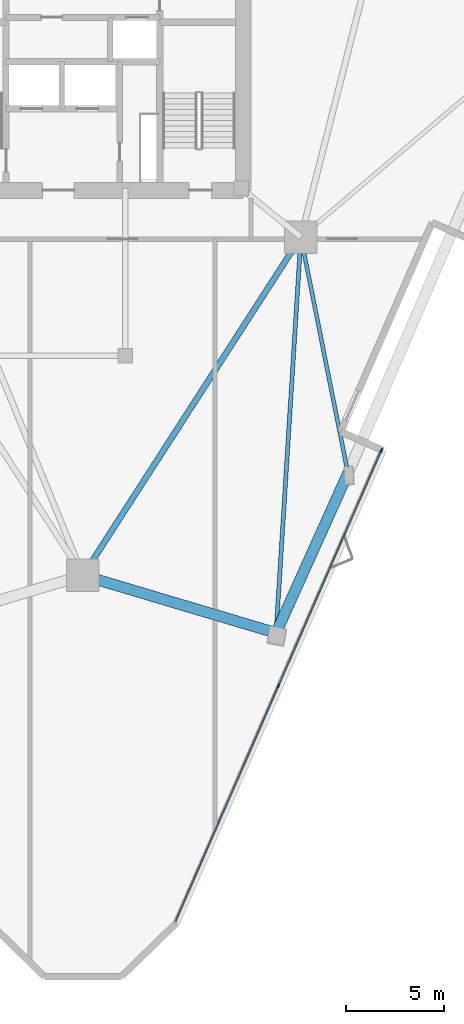
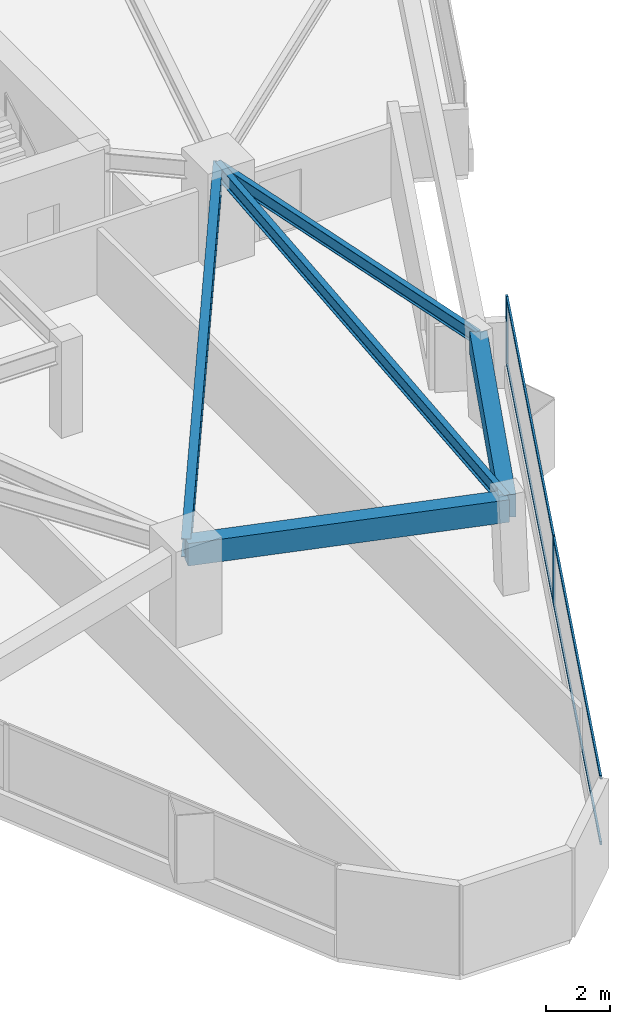
# One storey, part 3 of 13: 6 members, 5 beams, 1 element without a shape of its own.
"""IFC4 building model written with IfcOpenShell, lengths in metres."""

import ifcopenshell
import ifcopenshell.guid

model = None  # the IFC model being written
_history = None  # IfcOwnerHistory: only IFC2X3 demands one
_inside = {}  # id of a spatial element -> (the spatial element, [elements in it])
_under = {}  # id of a project, library or spatial element -> (it, [spatial elements below it])
_declared = {}  # id of a project -> (the project, [libraries it declares])
_typed = {}  # id of a type object -> (the type object, [elements of that type])
_made_of = {}  # id of a material, layer set ... -> (it, [elements and type objects made of it])


def new_model(schema):
    """Start an empty IFC model of exactly this schema.

    Asked for "IFC4X3", IfcOpenShell would pick the latest addendum, in which some entities
    have other attributes; the version numbers below select the first issue.
    IFC2X3 requires an IfcOwnerHistory on every rooted entity: one is made here for all.
    """
    global model, _history
    if schema == "IFC4X3":
        model = ifcopenshell.file(schema_version=(4, 3, 0, 0))
    else:
        model = ifcopenshell.file(schema=schema)
    _inside.clear()
    _under.clear()
    _declared.clear()
    _typed.clear()
    _made_of.clear()
    _history = None
    if model.schema == "IFC2X3":
        org = make("IfcOrganization", Name="unknown")
        user = make(
            "IfcPersonAndOrganization",
            ThePerson=make("IfcPerson", FamilyName="unknown"),
            TheOrganization=org,
        )
        app = make(
            "IfcApplication",
            ApplicationDeveloper=org,
            Version="unknown",
            ApplicationFullName="unknown",
            ApplicationIdentifier="unknown",
        )
        _history = make(
            "IfcOwnerHistory",
            OwningUser=user,
            OwningApplication=app,
            ChangeAction="ADDED",
            CreationDate=0,
        )
    return model


def make(cls, **values):
    """One entity of the class cls with the attributes given. An attribute that is None is left unset."""
    return model.create_entity(
        cls, **{name: value for name, value in values.items() if value is not None}
    )


def rooted(cls, **values):
    """An entity with a GlobalId (a new one), such as an element, a storey or a relation."""
    return make(cls, GlobalId=ifcopenshell.guid.new(), OwnerHistory=_history, **values)


def si_unit(unit_type, name, prefix=None):
    """IfcSIUnit, for example si_unit("LENGTHUNIT", "METRE", prefix="MILLI")."""
    return make("IfcSIUnit", UnitType=unit_type, Prefix=prefix, Name=name)


def assignment(units):
    """IfcUnitAssignment: the units of a project."""
    return None if units is None else make("IfcUnitAssignment", Units=units)


def point(xyz):
    """IfcCartesianPoint."""
    return None if xyz is None else make("IfcCartesianPoint", Coordinates=xyz)


def direction(xyz):
    """IfcDirection."""
    return None if xyz is None else make("IfcDirection", DirectionRatios=xyz)


def frame(location, z_axis=None, x_axis=None):
    """IfcAxis2Placement3D, a coordinate frame: its origin and axes. An axis left out is left unset."""
    return make(
        "IfcAxis2Placement3D",
        Location=point(location),
        Axis=direction(z_axis),
        RefDirection=direction(x_axis),
    )


def frame_2d(location, x_axis=None):
    """IfcAxis2Placement2D, a coordinate frame in the plane: its origin and x axis."""
    return make(
        "IfcAxis2Placement2D", Location=point(location), RefDirection=direction(x_axis)
    )


def origin():
    """The frame at (0, 0, 0) with its axes left unset."""
    return frame((0.0, 0.0, 0.0))


def origin_2d():
    """The frame at (0, 0) in the plane with its x axis left unset."""
    return frame_2d((0.0, 0.0))


def place(relative_to, where):
    """IfcLocalPlacement: puts the frame where relative to a parent placement (None: the world)."""
    return make(
        "IfcLocalPlacement", PlacementRelTo=relative_to, RelativePlacement=where
    )


def context(
    kind, dimensions, precision=None, world=None, true_north=None, identifier=None
):
    """IfcGeometricRepresentationContext, for example the 3D "Model" context."""
    return make(
        "IfcGeometricRepresentationContext",
        ContextIdentifier=identifier,
        ContextType=kind,
        CoordinateSpaceDimension=dimensions,
        Precision=precision,
        WorldCoordinateSystem=world,
        TrueNorth=true_north,
    )


def subcontext(parent, identifier, kind, view, scale=None):
    """IfcGeometricRepresentationSubContext, for example "Body" below "Model"."""
    return make(
        "IfcGeometricRepresentationSubContext",
        ContextIdentifier=identifier,
        ContextType=kind,
        ParentContext=parent,
        TargetScale=scale,
        TargetView=view,
    )


def project(units=None, contexts=None):
    """IfcProject with its units and contexts."""
    return rooted(
        "IfcProject",
        Name="project",
        RepresentationContexts=contexts,
        UnitsInContext=assignment(units),
    )


def spatial(cls, under=None, at=None, **own):
    """A site, building, storey or space (cls), placed at a placement, below another one or the project."""
    s = rooted(cls, ObjectPlacement=at, **own)
    if under is not None:
        _under.setdefault(under.id(), (under, []))[1].append(s)
    return s


def profile(cls, at=None, kind="AREA", **sizes):
    """A parametric profile (cls). Its sizes go by their IFC names, for example OverallWidth=200.0."""
    return make(cls, ProfileType=kind, Position=at, **sizes)


def rectangle(**sizes):
    """IfcRectangleProfileDef."""
    return profile("IfcRectangleProfileDef", **sizes)


def i_section(**sizes):
    """IfcIShapeProfileDef."""
    return profile("IfcIShapeProfileDef", **sizes)


def extrude(swept, where, along, depth):
    """IfcExtrudedAreaSolid: the profile swept, set in the frame where, extruded along a direction by depth."""
    return make(
        "IfcExtrudedAreaSolid",
        SweptArea=swept,
        Position=where,
        ExtrudedDirection=direction(along),
        Depth=depth,
    )


def shape(context_of_items, identifier, shape_type, items):
    """IfcShapeRepresentation: the items that make up one representation, for example the "Body"."""
    return make(
        "IfcShapeRepresentation",
        ContextOfItems=context_of_items,
        RepresentationIdentifier=identifier,
        RepresentationType=shape_type,
        Items=items,
    )


def material(Name=None, Category=None):
    """IfcMaterial."""
    return make("IfcMaterial", Name=Name, Category=Category)


def layer(
    of_material, thickness, ventilated=None, Name=None, Category=None, Priority=None
):
    """IfcMaterialLayer: one layer of a wall or slab, of a material (None: an air gap)."""
    return make(
        "IfcMaterialLayer",
        Material=of_material,
        LayerThickness=thickness,
        IsVentilated=ventilated,
        Name=Name,
        Category=Category,
        Priority=Priority,
    )


def layer_set(layers, Name=None):
    """IfcMaterialLayerSet."""
    return make("IfcMaterialLayerSet", MaterialLayers=layers, LayerSetName=Name)


def material_profile(
    of_material, cross_section, Name=None, Category=None, Priority=None
):
    """IfcMaterialProfile: a cross section and its material."""
    return make(
        "IfcMaterialProfile",
        Name=Name,
        Material=of_material,
        Profile=cross_section,
        Priority=Priority,
        Category=Category,
    )


def profile_set(profiles, Name=None, composite=None):
    """IfcMaterialProfileSet."""
    return make(
        "IfcMaterialProfileSet",
        Name=Name,
        MaterialProfiles=profiles,
        CompositeProfile=composite,
    )


def made_of(thing, what):
    """Note that an element or type object is made of a material, layer set ...; save() writes the relation."""
    if what is not None:
        _made_of.setdefault(what.id(), (what, []))[1].append(thing)
    return thing


def type_object(cls, material=None, **own):
    """A type object (cls), such as IfcWallType, which elements share."""
    return made_of(rooted(cls, **own), material)


def element(
    cls,
    number,
    at=None,
    inside=None,
    cuts=None,
    type_object=None,
    material=None,
    context=None,
    identifier="Body",
    shape_type=None,
    held_by="IfcProductDefinitionShape",
    body=None,
    shapes=None,
    **own,
):
    """One element of the class cls, such as IfcWall. Its Tag is "e" and its number.

    at: its placement. inside: the storey or other place that contains it. cuts: it is an
    opening in that element (IfcRelVoidsElement). A single representation is given by context,
    identifier, shape_type and body (its items); several are given by shapes. held_by: the class
    of the entity that holds the representations. save() writes the other relations.
    """
    e = rooted(cls, Tag="e%d" % number, ObjectPlacement=at, **own)
    if body is not None:
        shapes = [shape(context, identifier, shape_type, body)]
    if shapes is not None:
        e.Representation = make(held_by, Representations=shapes)
    if inside is not None:
        _inside.setdefault(inside.id(), (inside, []))[1].append(e)
    if cuts is not None:
        rooted(
            "IfcRelVoidsElement", RelatingBuildingElement=cuts, RelatedOpeningElement=e
        )
    if type_object is not None:
        _typed.setdefault(type_object.id(), (type_object, []))[1].append(e)
    return made_of(e, material)


def aggregate(whole, parts):
    """IfcRelAggregates: a whole, such as a stair, and the parts it consists of."""
    return rooted("IfcRelAggregates", RelatingObject=whole, RelatedObjects=parts)


def save(model, path):
    """Write the relations noted so far, then the file.

    IfcRelAggregates (storeys below a building ...), IfcRelContainedInSpatialStructure (elements
    in a storey), IfcRelDefinesByType, IfcRelAssociatesMaterial and IfcRelDeclares: one each for
    every whole, place, type object, material and project.
    """
    for whole, parts in _under.values():
        aggregate(whole, parts)
    for where, things in _inside.values():
        rooted(
            "IfcRelContainedInSpatialStructure",
            RelatedElements=things,
            RelatingStructure=where,
        )
    for kind, things in _typed.values():
        rooted("IfcRelDefinesByType", RelatedObjects=things, RelatingType=kind)
    for what, things in _made_of.values():
        rooted("IfcRelAssociatesMaterial", RelatedObjects=things, RelatingMaterial=what)
    for by, libraries in _declared.values():
        rooted("IfcRelDeclares", RelatingContext=by, RelatedDefinitions=libraries)
    model.write(path)


model = new_model("IFC4")

# Units and contexts
model_context = context("Model", 3, precision=1e-05, world=origin(), true_north=direction((0.0, 1.0)))
body_context = subcontext(model_context, "Body", "Model", "MODEL_VIEW")
ifc_project = project(units=[si_unit("LENGTHUNIT", "METRE"), si_unit("AREAUNIT", "SQUARE_METRE"), si_unit("VOLUMEUNIT", "CUBIC_METRE"), si_unit("PLANEANGLEUNIT", "RADIAN"), si_unit("MASSUNIT", "GRAM", prefix="KILO")], contexts=[model_context])

# Site, building, storey
site_placement = place(None, origin())
site = spatial("IfcSite", under=ifc_project, at=site_placement, CompositionType="ELEMENT")
building_placement = place(site_placement, origin())
building = spatial("IfcBuilding", under=site, at=building_placement, Name="Talyreon Biosciences Tower", CompositionType="ELEMENT")
storey_placement = place(building_placement, frame((0.0, 0.0, 104.199951171875)))
storey = spatial("IfcBuildingStorey", under=building, at=storey_placement, Name="L27", CompositionType="ELEMENT", Elevation=104.199951171875)

# Curtain wall, members
ifc_material_1 = material(Name="Thermally broken aluminium and low-E glazing", Category="aluminium")
ifc_layer = layer(ifc_material_1, 0.205078125)
ifc_layer_set = layer_set([ifc_layer], Name="Thermally broken aluminium and low-E glazing")
curtain_wall_type = type_object("IfcCurtainWallType", Name="CurtainWall_SkyGardenLoggia", PredefinedType="NOTDEFINED", material=ifc_layer_set)
curtain_wall_placement = place(storey_placement, origin())
curtain_wall = element("IfcCurtainWall", 1, at=curtain_wall_placement, inside=storey, type_object=curtain_wall_type, Name="L27 Unitised Curtain Wall FCW-L27-11", PredefinedType="NOTDEFINED")
ifc_material_2 = material(Name="Anodised thermally broken aluminium", Category="aluminium")
ifc_material_profile_1 = material_profile(ifc_material_2, rectangle(XDim=0.074951171875, YDim=0.2099609375, at=origin_2d()), Name="ALUM MULLION 75x210")
ifc_profile_set_1 = profile_set([ifc_material_profile_1], Name="Anodised thermally broken aluminium")
member_type_1 = type_object("IfcMemberType", Name="CWMullion_75x210", PredefinedType="MULLION", material=ifc_profile_set_1)
member_1_placement = place(storey_placement, frame((81.181396484375, 48.03125, 0.81005859375), z_axis=(0.0, 0.0, 1.0), x_axis=(0.916345572627, -0.400388300937, 0.0)))
member_1 = element("IfcMember", 2, at=member_1_placement, type_object=member_type_1, Name="CW7 mullion 1", PredefinedType="MULLION", context=body_context, shape_type="SweptSolid", body=[
    extrude(rectangle(XDim=0.074951171875, YDim=0.2099609375, at=origin_2d()), origin(), (0.0, 0.0, 1.0), 2.56494140625),
])
member_2_placement = place(storey_placement, frame((75.944091796875, 36.044677734375, 0.81005859375), z_axis=(0.0, 0.0, 1.0), x_axis=(0.916345572627, -0.400388300937, 0.0)))
member_2 = element("IfcMember", 3, at=member_2_placement, type_object=member_type_1, Name="CW7 mullion 2", PredefinedType="MULLION", context=body_context, shape_type="SweptSolid", body=[
    extrude(rectangle(XDim=0.074951171875, YDim=0.2099609375, at=origin_2d()), origin(), (0.0, 0.0, 1.0), 2.56494140625),
])
ifc_material_profile_2 = material_profile(ifc_material_2, rectangle(XDim=0.06494140625, YDim=0.139892578125, at=origin_2d()), Name="ALUM TRANSOM 65x140")
ifc_profile_set_2 = profile_set([ifc_material_profile_2], Name="Anodised thermally broken aluminium")
member_type_2 = type_object("IfcMemberType", Name="CWTransom_65x140", PredefinedType="USERDEFINED", material=ifc_profile_set_2)
member_3_placement = place(storey_placement, frame((81.166259765625, 47.996826171875, 0.842529296875), z_axis=(-0.400384513309, -0.916347227585, 0.0), x_axis=(0.916347227585, -0.400384513309, 0.0)))
member_3 = element("IfcMember", 4, at=member_3_placement, type_object=member_type_2, Name="CW7 transom 1.1", ObjectType="TRANSOM", PredefinedType="USERDEFINED", context=body_context, shape_type="SweptSolid", body=[
    extrude(rectangle(XDim=0.06494140625, YDim=0.139892578125, at=origin_2d()), origin(), (0.0, 0.0, 1.0), 13.005615234375),
])
member_4_placement = place(storey_placement, frame((81.166259765625, 47.996826171875, 3.342529296875), z_axis=(-0.400384513309, -0.916347227585, 0.0), x_axis=(0.916347227585, -0.400384513309, 0.0)))
member_4 = element("IfcMember", 5, at=member_4_placement, type_object=member_type_2, Name="CW7 transom 1.2", ObjectType="TRANSOM", PredefinedType="USERDEFINED", context=body_context, shape_type="SweptSolid", body=[
    extrude(rectangle(XDim=0.06494140625, YDim=0.139892578125, at=origin_2d()), origin(), (0.0, 0.0, 1.0), 13.005615234375),
])
member_5_placement = place(storey_placement, frame((75.928955078125, 36.010498046875, 0.842529296875), z_axis=(-0.400384513309, -0.916347227585, 0.0), x_axis=(0.916347227585, -0.400384513309, 0.0)))
member_5 = element("IfcMember", 6, at=member_5_placement, type_object=member_type_2, Name="CW7 transom 2.1", ObjectType="TRANSOM", PredefinedType="USERDEFINED", context=body_context, shape_type="SweptSolid", body=[
    extrude(rectangle(XDim=0.06494140625, YDim=0.139892578125, at=origin_2d()), origin(), (0.0, 0.0, 1.0), 13.005615234375),
])
member_6_placement = place(storey_placement, frame((75.928955078125, 36.010498046875, 3.342529296875), z_axis=(-0.400384513309, -0.916347227585, 0.0), x_axis=(0.916347227585, -0.400384513309, 0.0)))
member_6 = element("IfcMember", 7, at=member_6_placement, type_object=member_type_2, Name="CW7 transom 2.2", ObjectType="TRANSOM", PredefinedType="USERDEFINED", context=body_context, shape_type="SweptSolid", body=[
    extrude(rectangle(XDim=0.06494140625, YDim=0.139892578125, at=origin_2d()), origin(), (0.0, 0.0, 1.0), 13.005615234375),
])
aggregate(curtain_wall, [member_1, member_2, member_3, member_4, member_5, member_6])

# Beams
ifc_material_3 = material(Name="Precast concrete C45/55", Category="concrete")
ifc_material_profile_3 = material_profile(ifc_material_3, rectangle(XDim=0.550048828125, YDim=0.85009765625, at=origin_2d()), Name="RCB 550x850")
ifc_profile_set_3 = profile_set([ifc_material_profile_3], Name="Precast concrete C45/55")
beam_type_1 = type_object("IfcBeamType", Name="ExpressedSpandrel_550x850", PredefinedType="SPANDREL", material=ifc_profile_set_3)
beam_1_placement = place(storey_placement, frame((66.0, 41.6669921875, 2.949951171875), z_axis=(0.958417570325, -0.285369516403, 0.0), x_axis=(0.285369516403, 0.958417570325, 0.0)))
element("IfcBeam", 8, at=beam_1_placement, inside=storey, type_object=beam_type_1, Name="L27 Expressed Horizontal Concrete Spandrel 01", PredefinedType="SPANDREL", context=body_context, shape_type="SweptSolid", body=[
    extrude(rectangle(XDim=0.550048828125, YDim=0.85009765625, at=origin_2d()), origin(), (0.0, 0.0, 1.0), 10.249267578125),
])
beam_2_placement = place(storey_placement, frame((75.822998046875, 38.7421875, 2.949951171875), z_axis=(0.410594912333, 0.91181786447, 0.0), x_axis=(-0.91181786447, 0.410594912333, 0.0)))
element("IfcBeam", 9, at=beam_2_placement, inside=storey, type_object=beam_type_1, Name="L27 Expressed Horizontal Concrete Spandrel 02", PredefinedType="SPANDREL", context=body_context, shape_type="SweptSolid", body=[
    extrude(rectangle(XDim=0.550048828125, YDim=0.85009765625, at=origin_2d()), origin(), (0.0, 0.0, 1.0), 8.906005859375),
])
ifc_material_4 = material(Name="Steel SM355", Category="steel")
ifc_material_profile_4 = material_profile(ifc_material_4, i_section(OverallWidth=0.300048828125, OverallDepth=0.699951171875, WebThickness=0.01708984375, FlangeThickness=0.031982421875, FilletRadius=0.027099609375, at=origin_2d()), Name="HE700B")
ifc_profile_set_4 = profile_set([ifc_material_profile_4], Name="Steel SM355")
beam_type_2 = type_object("IfcBeamType", Name="SteelGirder_HE700B", PredefinedType="BEAM", material=ifc_profile_set_4)
beam_3_placement = place(storey_placement, frame((66.0, 41.6669921875, 3.025146484375), z_axis=(0.541463723609, 0.840724114092, 0.0), x_axis=(-0.840724114092, 0.541463723609, 0.0)))
element("IfcBeam", 10, at=beam_3_placement, inside=storey, type_object=beam_type_2, Name="L27 Mega-Ring Girder 1", PredefinedType="BEAM", context=body_context, shape_type="SweptSolid", body=[
    extrude(i_section(OverallWidth=0.300048828125, OverallDepth=0.699951171875, WebThickness=0.01708984375, FlangeThickness=0.031982421875, FilletRadius=0.027099609375, at=origin_2d()), origin(), (0.0, 0.0, 1.0), 20.474365234375),
])
ifc_material_profile_5 = material_profile(ifc_material_4, i_section(OverallWidth=0.199951171875, OverallDepth=0.5, WebThickness=0.01025390625, FlangeThickness=0.01611328125, FilletRadius=0.02099609375, at=origin_2d()), Name="IPE500")
ifc_profile_set_5 = profile_set([ifc_material_profile_5], Name="Steel SM355")
beam_type_3 = type_object("IfcBeamType", Name="SteelJoist_IPE500", PredefinedType="JOIST", material=ifc_profile_set_5)
beam_4_placement = place(storey_placement, frame((77.086181640625, 58.88037109375, 3.125), z_axis=(0.195334440809, -0.980736690572, 0.0), x_axis=(0.980736690572, 0.195334440809, 0.0)))
element("IfcBeam", 11, at=beam_4_placement, inside=storey, type_object=beam_type_3, Name="L27 Radial Composite Floor Joist PL-SE", PredefinedType="JOIST", context=body_context, shape_type="SweptSolid", body=[
    extrude(i_section(OverallWidth=0.199951171875, OverallDepth=0.5, WebThickness=0.01025390625, FlangeThickness=0.01611328125, FilletRadius=0.02099609375, at=origin_2d()), origin(), (0.0, 0.0, 1.0), 12.253662109375),
])
ifc_material_profile_6 = material_profile(ifc_material_4, i_section(OverallWidth=0.2099609375, OverallDepth=0.550048828125, WebThickness=0.010986328125, FlangeThickness=0.01708984375, FilletRadius=0.02392578125, at=origin_2d()), Name="IPE550")
ifc_profile_set_6 = profile_set([ifc_material_profile_6], Name="Steel SM355")
beam_type_4 = type_object("IfcBeamType", Name="SteelJoist_IPE550", PredefinedType="JOIST", material=ifc_profile_set_6)
beam_5_placement = place(storey_placement, frame((77.086181640625, 58.88037109375, 3.10009765625), z_axis=(-0.062602760717, -0.99803852348, 0.0), x_axis=(0.99803852348, -0.062602760717, 0.0)))
element("IfcBeam", 12, at=beam_5_placement, inside=storey, type_object=beam_type_4, Name="L27 Radial Composite Floor Joist PC-SE1", PredefinedType="JOIST", context=body_context, shape_type="SweptSolid", body=[
    extrude(i_section(OverallWidth=0.2099609375, OverallDepth=0.550048828125, WebThickness=0.010986328125, FlangeThickness=0.01708984375, FilletRadius=0.02392578125, at=origin_2d()), origin(), (0.0, 0.0, 1.0), 20.177734375),
])

save(model, "model.ifc")
